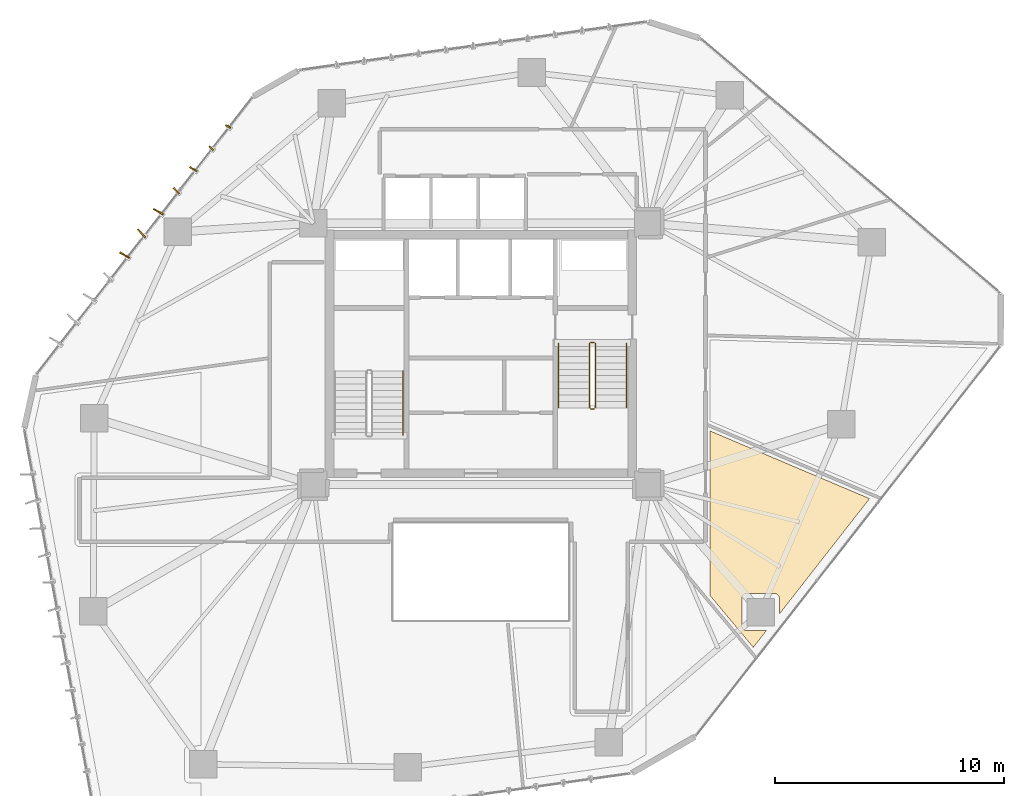
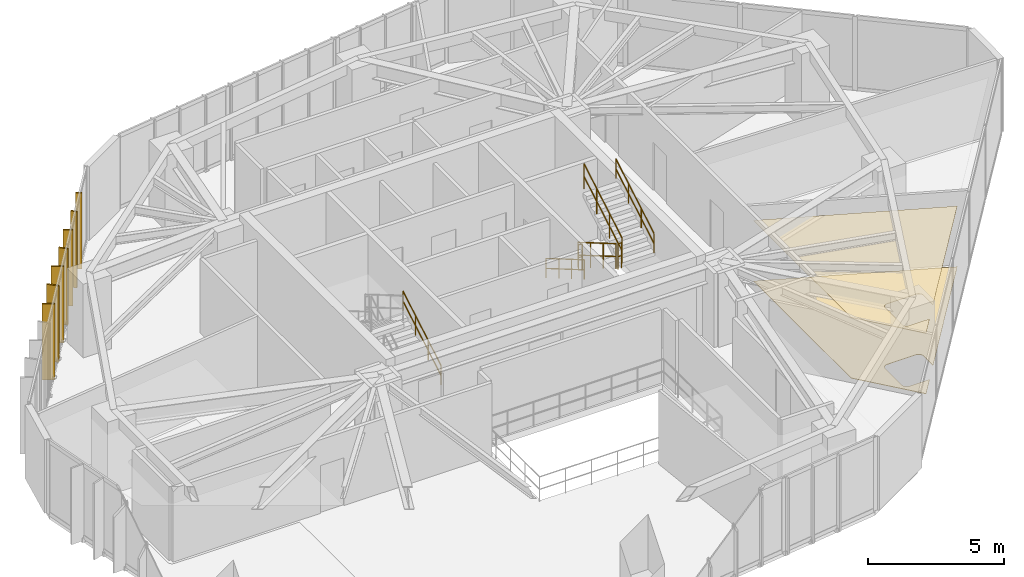
# One storey, part 23 of 24: 7 railings, 7 shading devices, 2 coverings.
"""IFC4 building model written with IfcOpenShell, lengths in metres."""

from ifc_helpers import new_model, si_unit, direction, frame, origin, origin_2d, place, context, subcontext, project, spatial, polyline, rectangle, circle, outline, extrude, source, transform, mapped, material, layer, layer_set, type_object, type_shapes, element, save


model = new_model("IFC4")

# Units and contexts
model_context = context("Model", 3, precision=1e-05, world=origin(), true_north=direction((0.0, 1.0)))
body_context = subcontext(model_context, "Body", "Model", "MODEL_VIEW")
ifc_project = project(units=[si_unit("LENGTHUNIT", "METRE"), si_unit("AREAUNIT", "SQUARE_METRE"), si_unit("VOLUMEUNIT", "CUBIC_METRE"), si_unit("PLANEANGLEUNIT", "RADIAN"), si_unit("MASSUNIT", "GRAM", prefix="KILO")], contexts=[model_context])

# Site, building, storey
site_placement = place(None, origin())
site = spatial("IfcSite", under=ifc_project, at=site_placement, CompositionType="ELEMENT")
building_placement = place(site_placement, origin())
building = spatial("IfcBuilding", under=site, at=building_placement, Name="Talar Marvaseh", CompositionType="ELEMENT")
storey_placement = place(building_placement, frame((0.0, 0.0, 114.60009765625)))
storey = spatial("IfcBuildingStorey", under=building, at=storey_placement, Name="L29", CompositionType="ELEMENT", Elevation=114.60009765625)

# Railings
ifc_material_1 = material(Name="Stainless Steel Grade 316", Category="steel")
railing_type_1 = type_object("IfcRailingType", Name="Brushed Stainless Wall Pitch Handrail 900", PredefinedType="HANDRAIL", material=ifc_material_1)
railing_1_placement = place(storey_placement, frame((22.610107421875, 27.64990234375, 0.16357421875)))
element("IfcRailing", 1, at=railing_1_placement, inside=storey, type_object=railing_type_1, Name="L29 ST-1 stair handrail 1", PredefinedType="HANDRAIL", context=body_context, shape_type="SweptSolid", body=[
    extrude(circle(Radius=0.02392578125, at=origin_2d()), frame((0.0, 0.0, 0.8759765625), z_axis=(0.0, 0.863393664356, 0.504530851732), x_axis=(-1.0, 0.0, 0.0)), (0.0, 0.0, 1.0), 3.2431640625),
    extrude(circle(Radius=0.02392578125, at=origin_2d()), frame((0.0, 0.0, 0.42578125), z_axis=(0.0, 0.863393664356, 0.504530851732), x_axis=(-1.0, 0.0, 0.0)), (0.0, 0.0, 1.0), 3.2431640625),
    extrude(circle(Radius=0.02099609375, at=origin_2d()), origin(), (0.0, 0.0, 1.0), 0.851806640625),
    extrude(circle(Radius=0.02099609375, at=origin_2d()), frame((0.0, 0.933349609375, 0.54541015625)), (0.0, 0.0, 1.0), 0.851806640625),
    extrude(circle(Radius=0.02099609375, at=origin_2d()), frame((0.0, 1.86669921875, 1.0908203125)), (0.0, 0.0, 1.0), 0.851806640625),
    extrude(circle(Radius=0.02099609375, at=origin_2d()), frame((0.0, 2.800048828125, 1.63623046875)), (0.0, 0.0, 1.0), 0.851806640625),
])
railing_2_placement = place(storey_placement, frame((29.389892578125, 31.64990234375, 0.16357421875)))
element("IfcRailing", 2, at=railing_2_placement, inside=storey, type_object=railing_type_1, Name="L29 ST-2 stair handrail 1", PredefinedType="HANDRAIL", context=body_context, shape_type="SweptSolid", body=[
    extrude(circle(Radius=0.02392578125, at=origin_2d()), frame((0.0, 0.0, 0.8759765625), z_axis=(0.0, -0.863374499697, 0.504563646405), x_axis=(1.0, 0.0, 0.0)), (0.0, 0.0, 1.0), 3.242919921875),
    extrude(circle(Radius=0.02392578125, at=origin_2d()), frame((0.0, 0.0, 0.42578125), z_axis=(0.0, -0.863374499697, 0.504563646405), x_axis=(1.0, 0.0, 0.0)), (0.0, 0.0, 1.0), 3.242919921875),
    extrude(circle(Radius=0.02099609375, at=origin_2d()), origin(), (0.0, 0.0, 1.0), 0.851806640625),
    extrude(circle(Radius=0.02099609375, at=origin_2d()), frame((0.0, -0.933349609375, 0.54541015625)), (0.0, 0.0, 1.0), 0.851806640625),
    extrude(circle(Radius=0.02099609375, at=origin_2d()), frame((0.0, -1.866455078125, 1.0908203125)), (0.0, 0.0, 1.0), 0.851806640625),
    extrude(circle(Radius=0.02099609375, at=origin_2d()), frame((0.0, -2.7998046875, 1.63623046875)), (0.0, 0.0, 1.0), 0.851806640625),
])
railing_3_placement = place(storey_placement, frame((32.35009765625, 28.85009765625, 1.963623046875)))
element("IfcRailing", 3, at=railing_3_placement, inside=storey, type_object=railing_type_1, Name="L29 ST-2 stair handrail 2", PredefinedType="HANDRAIL", context=body_context, shape_type="SweptSolid", body=[
    extrude(circle(Radius=0.02392578125, at=origin_2d()), frame((0.0, 0.0, 0.8759765625), z_axis=(0.0, 0.863374499697, 0.504563646405), x_axis=(-1.0, 0.0, 0.0)), (0.0, 0.0, 1.0), 3.242919921875),
    extrude(circle(Radius=0.02392578125, at=origin_2d()), frame((0.0, 0.0, 0.42578125), z_axis=(0.0, 0.863374499697, 0.504563646405), x_axis=(-1.0, 0.0, 0.0)), (0.0, 0.0, 1.0), 3.242919921875),
    extrude(circle(Radius=0.02099609375, at=origin_2d()), origin(), (0.0, 0.0, 1.0), 0.851806640625),
    extrude(circle(Radius=0.02099609375, at=origin_2d()), frame((0.0, 0.933349609375, 0.54541015625)), (0.0, 0.0, 1.0), 0.851806640625),
    extrude(circle(Radius=0.02099609375, at=origin_2d()), frame((0.0, 1.866455078125, 1.0908203125)), (0.0, 0.0, 1.0), 0.851806640625),
    extrude(circle(Radius=0.02099609375, at=origin_2d()), frame((0.0, 2.7998046875, 1.63623046875)), (0.0, 0.0, 1.0), 0.851806640625),
])
railing_type_2 = type_object("IfcRailingType", Name="Painted Steel Core Stair Well Guardrail 1150", PredefinedType="GUARDRAIL", material=ifc_material_1)
railing_4_placement = place(storey_placement, frame((30.739990234375, 31.64990234375, 0.16357421875)))
element("IfcRailing", 4, at=railing_4_placement, inside=storey, type_object=railing_type_2, Name="L29 ST-2 stair guard 1", PredefinedType="GUARDRAIL", context=body_context, shape_type="SweptSolid", body=[
    extrude(circle(Radius=0.02392578125, at=origin_2d()), frame((0.0, 0.0, 1.1259765625), z_axis=(0.0, -0.863374499697, 0.504563646405), x_axis=(1.0, 0.0, 0.0)), (0.0, 0.0, 1.0), 3.242919921875),
    extrude(circle(Radius=0.02392578125, at=origin_2d()), frame((0.0, 0.0, 0.55078125), z_axis=(0.0, -0.863374499697, 0.504563646405), x_axis=(1.0, 0.0, 0.0)), (0.0, 0.0, 1.0), 3.242919921875),
    extrude(circle(Radius=0.02099609375, at=origin_2d()), origin(), (0.0, 0.0, 1.0), 1.101806640625),
    extrude(circle(Radius=0.02099609375, at=origin_2d()), frame((0.0, -0.933349609375, 0.54541015625)), (0.0, 0.0, 1.0), 1.101806640625),
    extrude(circle(Radius=0.02099609375, at=origin_2d()), frame((0.0, -1.866455078125, 1.0908203125)), (0.0, 0.0, 1.0), 1.101806640625),
    extrude(circle(Radius=0.02099609375, at=origin_2d()), frame((0.0, -2.7998046875, 1.63623046875)), (0.0, 0.0, 1.0), 1.101806640625),
])
railing_5_placement = place(storey_placement, frame((30.7900390625, 28.800048828125, 1.7998046875)))
element("IfcRailing", 5, at=railing_5_placement, inside=storey, type_object=railing_type_2, Name="L29 ST-2 stair guard 2", PredefinedType="GUARDRAIL", context=body_context, shape_type="SweptSolid", body=[
    extrude(circle(Radius=0.02392578125, at=origin_2d()), frame((0.0, 0.0, 1.1259765625), z_axis=(1.0, 0.0, 0.0), x_axis=(0.0, 1.0, 0.0)), (0.0, 0.0, 1.0), 0.159912109375),
    extrude(circle(Radius=0.02392578125, at=origin_2d()), frame((0.0, 0.0, 0.55078125), z_axis=(1.0, 0.0, 0.0), x_axis=(0.0, 1.0, 0.0)), (0.0, 0.0, 1.0), 0.159912109375),
    extrude(circle(Radius=0.02099609375, at=origin_2d()), origin(), (0.0, 0.0, 1.0), 1.101806640625),
    extrude(circle(Radius=0.02099609375, at=origin_2d()), frame((0.159912109375, 0.0, 0.0)), (0.0, 0.0, 1.0), 1.101806640625),
])
railing_6_placement = place(storey_placement, frame((31.0, 28.85009765625, 1.963623046875)))
element("IfcRailing", 6, at=railing_6_placement, inside=storey, type_object=railing_type_2, Name="L29 ST-2 stair guard 3", PredefinedType="GUARDRAIL", context=body_context, shape_type="SweptSolid", body=[
    extrude(circle(Radius=0.02392578125, at=origin_2d()), frame((0.0, 0.0, 1.1259765625), z_axis=(0.0, 0.863374499697, 0.504563646405), x_axis=(-1.0, 0.0, 0.0)), (0.0, 0.0, 1.0), 3.242919921875),
    extrude(circle(Radius=0.02392578125, at=origin_2d()), frame((0.0, 0.0, 0.55078125), z_axis=(0.0, 0.863374499697, 0.504563646405), x_axis=(-1.0, 0.0, 0.0)), (0.0, 0.0, 1.0), 3.242919921875),
    extrude(circle(Radius=0.02099609375, at=origin_2d()), origin(), (0.0, 0.0, 1.0), 1.101806640625),
    extrude(circle(Radius=0.02099609375, at=origin_2d()), frame((0.0, 0.933349609375, 0.54541015625)), (0.0, 0.0, 1.0), 1.101806640625),
    extrude(circle(Radius=0.02099609375, at=origin_2d()), frame((0.0, 1.866455078125, 1.0908203125)), (0.0, 0.0, 1.0), 1.101806640625),
    extrude(circle(Radius=0.02099609375, at=origin_2d()), frame((0.0, 2.7998046875, 1.63623046875)), (0.0, 0.0, 1.0), 1.101806640625),
])
railing_7_placement = place(storey_placement, frame((30.7900390625, 31.699951171875, 0.0)))
element("IfcRailing", 7, at=railing_7_placement, inside=storey, type_object=railing_type_2, Name="L29 ST-2 stair guard 4", PredefinedType="GUARDRAIL", context=body_context, shape_type="SweptSolid", body=[
    extrude(circle(Radius=0.02392578125, at=origin_2d()), frame((0.0, 0.0, 1.1259765625), z_axis=(1.0, 0.0, 0.0), x_axis=(0.0, 1.0, 0.0)), (0.0, 0.0, 1.0), 0.159912109375),
    extrude(circle(Radius=0.02392578125, at=origin_2d()), frame((0.0, 0.0, 0.55078125), z_axis=(1.0, 0.0, 0.0), x_axis=(0.0, 1.0, 0.0)), (0.0, 0.0, 1.0), 0.159912109375),
    extrude(circle(Radius=0.02099609375, at=origin_2d()), origin(), (0.0, 0.0, 1.0), 1.101806640625),
    extrude(circle(Radius=0.02099609375, at=origin_2d()), frame((0.159912109375, 0.0, 0.0)), (0.0, 0.0, 1.0), 1.101806640625),
])

# Coverings
ifc_material_2 = material(Name="Mineral Fibre Acoustic Ceiling")
ifc_layer_1 = layer(ifc_material_2, 0.02490234375)
ifc_layer_set_1 = layer_set([ifc_layer_1], Name="Mineral Fibre Acoustic Ceiling")
covering_type_1 = type_object("IfcCoveringType", Name="Perforated Mineral Fibre Acoustic Suspended Ceiling", PredefinedType="CEILING", material=ifc_layer_set_1)
covering_1_placement = place(storey_placement, frame((0.0, 0.0, 2.719970703125)))
element("IfcCovering", 8, at=covering_1_placement, inside=storey, type_object=covering_type_1, Name="L29 Archival Research Office Acoustic Ceiling", PredefinedType="CEILING", context=body_context, shape_type="SweptSolid", body=[
    extrude(outline(polyline([(42.953857421875, 24.887939453125), (39.0185546875, 19.8525390625), (39.02099609375, 20.541748046875), (39.02001953125, 20.560302734375), (39.017578125, 20.578857421875), (39.01318359375, 20.596923828125), (39.00732421875, 20.614501953125), (39.0, 20.631591796875), (38.990966796875, 20.64794921875), (38.980224609375, 20.663330078125), (38.968505859375, 20.677490234375), (38.955078125, 20.690673828125), (38.940185546875, 20.7041015625), (38.926025390625, 20.716064453125), (38.91064453125, 20.726318359375), (38.89453125, 20.7353515625), (38.877685546875, 20.74267578125), (38.860107421875, 20.74853515625), (38.842041015625, 20.752685546875), (38.82373046875, 20.755126953125), (38.805419921875, 20.756103515625), (37.5947265625, 20.751708984375), (37.5751953125, 20.75048828125), (37.555908203125, 20.74755859375), (37.536865234375, 20.742919921875), (37.518310546875, 20.736083984375), (37.500732421875, 20.727783203125), (37.48388671875, 20.717529296875), (37.46826171875, 20.705810546875), (37.45361328125, 20.69287109375), (37.440673828125, 20.67822265625), (37.428955078125, 20.66259765625), (37.4189453125, 20.645751953125), (37.41064453125, 20.6279296875), (37.404052734375, 20.609619140625), (37.399169921875, 20.590576171875), (37.396484375, 20.5712890625), (37.3955078125, 20.551513671875), (37.3955078125, 19.330322265625), (37.396484375, 19.310791015625), (37.399169921875, 19.29150390625), (37.404052734375, 19.272216796875), (37.41064453125, 19.25390625), (37.4189453125, 19.236083984375), (37.42919921875, 19.21923828125), (37.44091796875, 19.20361328125), (37.4541015625, 19.18896484375), (37.468505859375, 19.17578125), (37.484375, 19.1640625), (37.501220703125, 19.154052734375), (37.518798828125, 19.1455078125), (37.537353515625, 19.138916015625), (37.556396484375, 19.13427734375), (37.57568359375, 19.13134765625), (37.595458984375, 19.13037109375), (38.4541015625, 19.13037109375), (37.885009765625, 18.40234375), (36.0, 20.65625), (36.0, 23.0), (36.0, 27.839111328125), (42.953857421875, 24.887939453125)])), origin(), (0.0, 0.0, 1.0), 0.02490234375),
])
ifc_material_3 = material(Name="Porcelain Stoneware Tile", Category="masonry")
ifc_layer_2 = layer(ifc_material_3, 0.02001953125)
ifc_layer_set_2 = layer_set([ifc_layer_2], Name="Porcelain Stoneware Tile")
covering_type_2 = type_object("IfcCoveringType", Name="Polished Porcelain Stoneware Gallery Flooring", PredefinedType="FLOORING", material=ifc_layer_set_2)
covering_2_placement = place(storey_placement, origin())
element("IfcCovering", 9, at=covering_2_placement, inside=storey, type_object=covering_type_2, Name="L29 Archival Research Office Flooring", PredefinedType="FLOORING", context=body_context, shape_type="SweptSolid", body=[
    extrude(outline(polyline([(42.953857421875, 24.887939453125), (39.0185546875, 19.8525390625), (39.02099609375, 20.541748046875), (39.02001953125, 20.560302734375), (39.017578125, 20.578857421875), (39.01318359375, 20.596923828125), (39.00732421875, 20.614501953125), (39.0, 20.631591796875), (38.990966796875, 20.64794921875), (38.980224609375, 20.663330078125), (38.968505859375, 20.677490234375), (38.955078125, 20.690673828125), (38.940185546875, 20.7041015625), (38.926025390625, 20.716064453125), (38.91064453125, 20.726318359375), (38.89453125, 20.7353515625), (38.877685546875, 20.74267578125), (38.860107421875, 20.74853515625), (38.842041015625, 20.752685546875), (38.82373046875, 20.755126953125), (38.805419921875, 20.756103515625), (37.5947265625, 20.751708984375), (37.5751953125, 20.75048828125), (37.555908203125, 20.74755859375), (37.536865234375, 20.742919921875), (37.518310546875, 20.736083984375), (37.500732421875, 20.727783203125), (37.48388671875, 20.717529296875), (37.46826171875, 20.705810546875), (37.45361328125, 20.69287109375), (37.440673828125, 20.67822265625), (37.428955078125, 20.66259765625), (37.4189453125, 20.645751953125), (37.41064453125, 20.6279296875), (37.404052734375, 20.609619140625), (37.399169921875, 20.590576171875), (37.396484375, 20.5712890625), (37.3955078125, 20.551513671875), (37.3955078125, 19.330322265625), (37.396484375, 19.310791015625), (37.399169921875, 19.29150390625), (37.404052734375, 19.272216796875), (37.41064453125, 19.25390625), (37.4189453125, 19.236083984375), (37.42919921875, 19.21923828125), (37.44091796875, 19.20361328125), (37.4541015625, 19.18896484375), (37.468505859375, 19.17578125), (37.484375, 19.1640625), (37.501220703125, 19.154052734375), (37.518798828125, 19.1455078125), (37.537353515625, 19.138916015625), (37.556396484375, 19.13427734375), (37.57568359375, 19.13134765625), (37.595458984375, 19.13037109375), (38.4541015625, 19.13037109375), (37.885009765625, 18.40234375), (36.0, 20.65625), (36.0, 23.0), (36.0, 27.839111328125), (42.953857421875, 24.887939453125)])), origin(), (0.0, 0.0, 1.0), 0.02001953125),
])

# Shading devices
ifc_material_4 = material(Name="Anodised Champagne Bronze Aluminium", Category="aluminium")
ifc_layer_3 = layer(ifc_material_4, 0.06494140625)
ifc_layer_set_3 = layer_set([ifc_layer_3], Name="Anodised Champagne Bronze Aluminium")
shading_device_type_1 = type_object("IfcShadingDeviceType", Name="Sawtooth Champagne Bronze Vertical Fin 240", PredefinedType="USERDEFINED", material=ifc_layer_set_3)
shared_shape_1 = source(origin(), body_context, "Body", "SweptSolid", [
    extrude(rectangle(XDim=0.239990234375, YDim=0.06494140625, at=origin_2d()), origin(), (0.0, 0.0, 1.0), 3.429931640625),
])
type_shapes(shading_device_type_1, [shared_shape_1])
for number, where, z_axis, x_axis, name in (
    (10, (14.246826171875, 40.167236328125, -0.1201171875), (0.0, 0.0, 1.0), (-0.695536691165, 0.718490578396, 0.0), "L29 Sawtooth Vertical Solar Fin"),
    (11, (14.984619140625, 41.11376953125, -0.1201171875), (0.0, 0.0, 1.0), (-0.866635622545, 0.498941577478, 0.0), "L29 Sawtooth Vertical Solar Fin"),
):
    element("IfcShadingDevice", number, at=place(storey_placement, frame(where, z_axis=z_axis, x_axis=x_axis)), inside=storey, type_object=shading_device_type_1, Name=name, ObjectType="FIN", PredefinedType="USERDEFINED", context=body_context, shape_type="MappedRepresentation", body=[
        mapped(shared_shape_1, transform((0.0, 0.0, 0.0), x_axis=(1.0, 0.0, 0.0), y_axis=(0.0, 1.0, 0.0), z_axis=(0.0, 0.0, 1.0), scale=1.0)),
    ])
ifc_layer_4 = layer(ifc_material_4, 0.06494140625)
ifc_layer_set_4 = layer_set([ifc_layer_4], Name="Anodised Champagne Bronze Aluminium")
shading_device_type_2 = type_object("IfcShadingDeviceType", Name="Sawtooth Champagne Bronze Vertical Fin 360", PredefinedType="USERDEFINED", material=ifc_layer_set_4)
shared_shape_2 = source(origin(), body_context, "Body", "SweptSolid", [
    extrude(rectangle(XDim=0.360107421875, YDim=0.06494140625, at=origin_2d()), origin(), (0.0, 0.0, 1.0), 3.429931640625),
])
type_shapes(shading_device_type_2, [shared_shape_2])
for number, where, z_axis, x_axis, name in (
    (12, (12.72412109375, 38.311279296875, -0.1201171875), (0.0, 0.0, 1.0), (-0.695536691165, 0.718490578396, 0.0), "L29 Sawtooth Vertical Solar Fin"),
    (13, (13.4619140625, 39.2578125, -0.1201171875), (0.0, 0.0, 1.0), (-0.866635622545, 0.498941577478, 0.0), "L29 Sawtooth Vertical Solar Fin"),
):
    element("IfcShadingDevice", number, at=place(storey_placement, frame(where, z_axis=z_axis, x_axis=x_axis)), inside=storey, type_object=shading_device_type_2, Name=name, ObjectType="FIN", PredefinedType="USERDEFINED", context=body_context, shape_type="MappedRepresentation", body=[
        mapped(shared_shape_2, transform((0.0, 0.0, 0.0), x_axis=(1.0, 0.0, 0.0), y_axis=(0.0, 1.0, 0.0), z_axis=(0.0, 0.0, 1.0), scale=1.0)),
    ])
ifc_layer_5 = layer(ifc_material_4, 0.06494140625)
ifc_layer_set_5 = layer_set([ifc_layer_5], Name="Anodised Champagne Bronze Aluminium")
shading_device_type_3 = type_object("IfcShadingDeviceType", Name="Sawtooth Champagne Bronze Vertical Fin 480", PredefinedType="USERDEFINED", material=ifc_layer_set_5)
shared_shape_3 = source(origin(), body_context, "Body", "SweptSolid", [
    extrude(rectangle(XDim=0.47998046875, YDim=0.06494140625, at=origin_2d()), origin(), (0.0, 0.0, 1.0), 3.429931640625),
])
type_shapes(shading_device_type_3, [shared_shape_3])
for number, where, z_axis, x_axis, name in (
    (14, (10.4638671875, 35.508544921875, -0.1201171875), (0.0, 0.0, 1.0), (-0.866635622545, 0.498941577478, 0.0), "L29 Sawtooth Vertical Solar Fin"),
    (15, (11.201416015625, 36.455078125, -0.1201171875), (0.0, 0.0, 1.0), (-0.695536691165, 0.718490578396, 0.0), "L29 Sawtooth Vertical Solar Fin"),
    (16, (11.939208984375, 37.401611328125, -0.1201171875), (0.0, 0.0, 1.0), (-0.866635622545, 0.498941577478, 0.0), "L29 Sawtooth Vertical Solar Fin"),
):
    element("IfcShadingDevice", number, at=place(storey_placement, frame(where, z_axis=z_axis, x_axis=x_axis)), inside=storey, type_object=shading_device_type_3, Name=name, ObjectType="FIN", PredefinedType="USERDEFINED", context=body_context, shape_type="MappedRepresentation", body=[
        mapped(shared_shape_3, transform((0.0, 0.0, 0.0), x_axis=(1.0, 0.0, 0.0), y_axis=(0.0, 1.0, 0.0), z_axis=(0.0, 0.0, 1.0), scale=1.0)),
    ])

save(model, "model.ifc")
